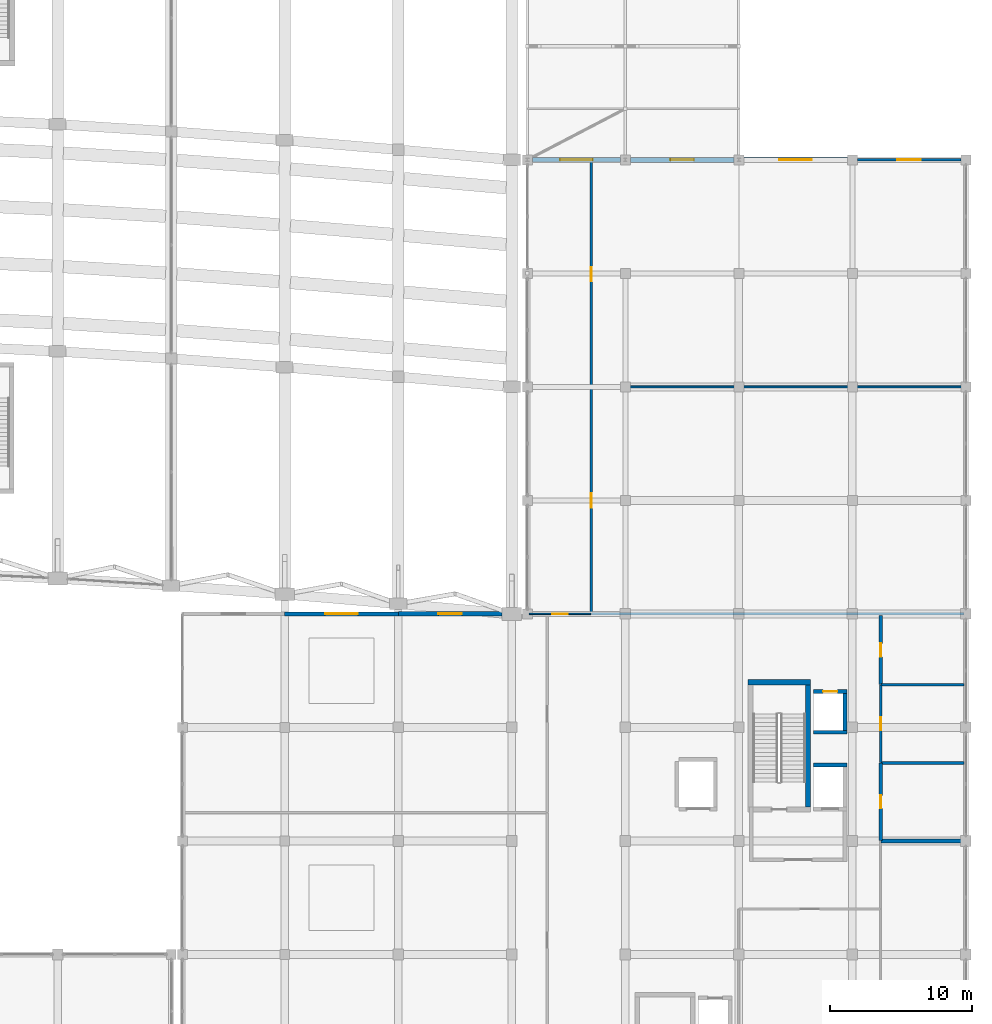
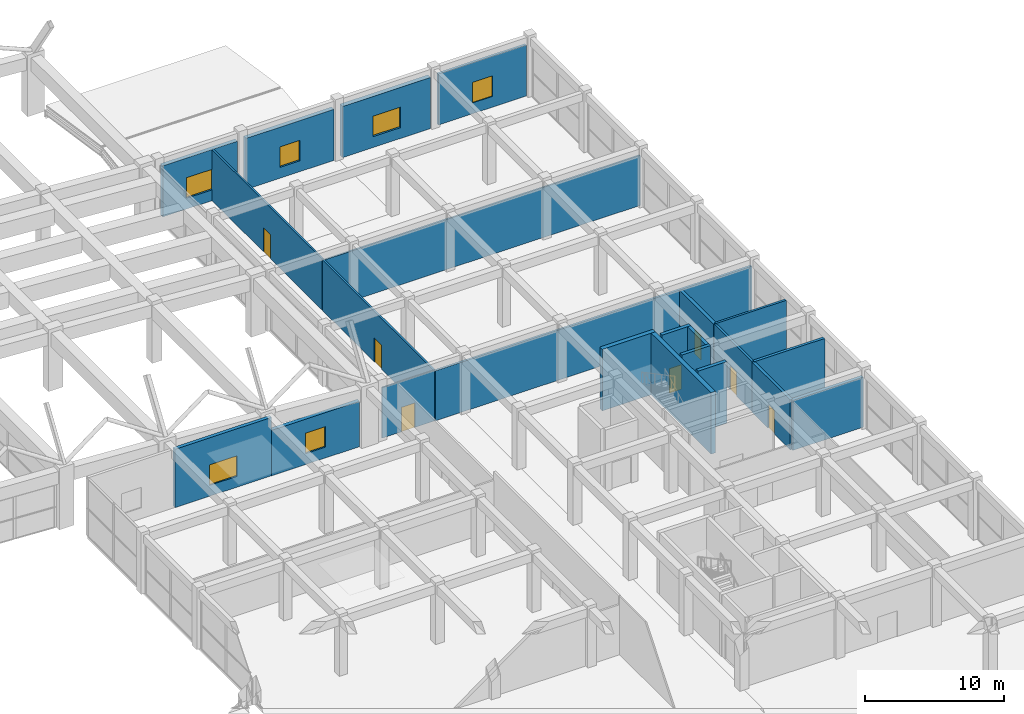
# One storey, part 52 of 69: 23 walls, 7 doors, 6 windows, 13 openings.
"""IFC4 building model written with IfcOpenShell, lengths in metres."""

from ifc_helpers import new_model, si_unit, direction, frame, frame_2d, origin, place, context, subcontext, project, spatial, rectangle, extrude, material, layer, layer_set, type_object, element, fill, save


model = new_model("IFC4")

# Units and contexts
model_context = context("Model", 3, precision=1e-05, world=origin(), true_north=direction((0.0, 1.0)))
body_context = subcontext(model_context, "Body", "Model", "MODEL_VIEW")
ifc_project = project(units=[si_unit("LENGTHUNIT", "METRE"), si_unit("AREAUNIT", "SQUARE_METRE"), si_unit("VOLUMEUNIT", "CUBIC_METRE"), si_unit("PLANEANGLEUNIT", "RADIAN"), si_unit("MASSUNIT", "GRAM", prefix="KILO")], contexts=[model_context])

# Site, building, storey
site_placement = place(None, origin())
site = spatial("IfcSite", under=ifc_project, at=site_placement, CompositionType="ELEMENT")
building_placement = place(site_placement, origin())
building = spatial("IfcBuilding", under=site, at=building_placement, Name="Kenh Van Central Station", CompositionType="ELEMENT")
storey_placement = place(building_placement, frame((0.0, 0.0, 5.39990234375)))
storey = spatial("IfcBuildingStorey", under=building, at=storey_placement, Name="L01", CompositionType="ELEMENT", Elevation=5.39990234375)

# Walls
ifc_material_1 = material(Name="Concrete C40/50", Category="concrete")
ifc_layer_1 = layer(ifc_material_1, 0.280029296875, Name="Concrete C40/50")
ifc_layer_set_1 = layer_set([ifc_layer_1], Name="Concrete C40/50")
wall_type_1 = type_object("IfcWallType", Name="WL-CORE-280", PredefinedType="SHEAR", material=ifc_layer_set_1)
for number, where, z_axis, x_axis, name in (
    (1, (165.25, 53.340087890625, 0.0), (0.0, 0.0, 1.0), (1.0, 0.0, 0.0), "L01 LIFT-FF2 shaft wall N"),
    (2, (165.25, 55.659912109375, 0.0), (0.0, 0.0, 1.0), (1.0, 0.0, 0.0), "L01 LIFT-OP2 shaft wall S"),
):
    element("IfcWall", number, at=place(storey_placement, frame(where, z_axis=z_axis, x_axis=x_axis)), inside=storey, type_object=wall_type_1, Name=name, PredefinedType="SHEAR", context=body_context, shape_type="SweptSolid", body=[
        extrude(rectangle(XDim=2.3798828125, YDim=0.280029296875, at=frame_2d((1.18994140625, 0.0))), origin(), (0.0, 0.0, 1.0), 5.400146484375),
    ])

# Wall, opening, door
wall_1_placement = place(storey_placement, frame((165.25, 58.5400390625, 0.0), z_axis=(0.0, 0.0, 1.0), x_axis=(1.0, 0.0, 0.0)))
wall_1 = element("IfcWall", 3, at=wall_1_placement, inside=storey, type_object=wall_type_1, Name="L01 LIFT-OP2 shaft wall N", PredefinedType="SHEAR", context=body_context, shape_type="SweptSolid", body=[
    extrude(rectangle(XDim=2.3798828125, YDim=0.280029296875, at=frame_2d((1.18994140625, 0.0))), origin(), (0.0, 0.0, 1.0), 5.400146484375),
])
opening_1_placement = place(wall_1_placement, frame((0.68994140625, 0.0, 0.0)))
opening_1 = element("IfcOpeningElement", 4, at=opening_1_placement, cuts=wall_1, Name="Opening LD-OP1", PredefinedType="OPENING", context=body_context, shape_type="SweptSolid", body=[
    extrude(rectangle(XDim=1.0, YDim=2.14990234375, at=frame_2d((0.5, 1.074951171875))), frame((0.0, 0.14990234375, 0.0), z_axis=(0.0, -1.0, 0.0), x_axis=(1.0, 0.0, 0.0)), (0.0, 0.0, 1.0), 0.300048828125),
])
ifc_material_2 = material(Name="Champagne anodised aluminium", Category="aluminium")
door_type_1 = type_object("IfcDoorType", Name="DR-LIFT-1000x2150", OperationType="SLIDING_TO_LEFT", PredefinedType="DOOR", material=ifc_material_2)
door_1_placement = place(opening_1_placement, origin())
door_1 = element("IfcDoor", 5, at=door_1_placement, inside=storey, type_object=door_type_1, Name="L01 LIFT-OP2 sliding landing door", OperationType="SLIDING_TO_LEFT", OverallHeight=2.14990234375, OverallWidth=1.0, PredefinedType="DOOR", context=body_context, shape_type="SweptSolid", body=[
    extrude(rectangle(XDim=1.0, YDim=2.14990234375, at=frame_2d((0.5, 1.074951171875))), frame((0.0, 0.02490234375, 0.0), z_axis=(0.0, -1.0, 0.0), x_axis=(1.0, 0.0, 0.0)), (0.0, 0.0, 1.0), 0.050048828125),
])
fill(opening_1, door_1)

# Walls
wall_2_placement = place(storey_placement, frame((167.489990234375, 55.800048828125, 0.0), z_axis=(0.0, 0.0, 1.0), x_axis=(0.0, 1.0, 0.0)))
element("IfcWall", 6, at=wall_2_placement, inside=storey, type_object=wall_type_1, Name="L01 LIFT-OP2 shaft wall E", PredefinedType="SHEAR", context=body_context, shape_type="SweptSolid", body=[
    extrude(rectangle(XDim=2.599853515625, YDim=0.280029296875, at=frame_2d((1.2998046875, 0.0))), origin(), (0.0, 0.0, 1.0), 5.400146484375),
])
ifc_layer_2 = layer(ifc_material_1, 0.360107421875, Name="Concrete C40/50")
ifc_layer_set_2 = layer_set([ifc_layer_2], Name="Concrete C40/50")
wall_type_2 = type_object("IfcWallType", Name="WL-CORE-360", PredefinedType="SHEAR", material=ifc_layer_set_2)
wall_3_placement = place(storey_placement, frame((160.639892578125, 59.179931640625, 0.0), z_axis=(0.0, 0.0, 1.0), x_axis=(1.0, 0.0, 0.0)))
element("IfcWall", 7, at=wall_3_placement, inside=storey, type_object=wall_type_2, Name="L01 CORE-10 stair wall N", PredefinedType="SHEAR", context=body_context, shape_type="SweptSolid", body=[
    extrude(rectangle(XDim=4.420166015625, YDim=0.360107421875, at=frame_2d((2.2099609375, 0.0))), origin(), (0.0, 0.0, 1.0), 5.400146484375),
])
wall_4_placement = place(storey_placement, frame((164.8798828125, 50.39990234375, 0.0), z_axis=(0.0, 0.0, 1.0), x_axis=(0.0, 1.0, 0.0)))
element("IfcWall", 8, at=wall_4_placement, inside=storey, type_object=wall_type_2, Name="L01 CORE-10 stair wall E", PredefinedType="SHEAR", context=body_context, shape_type="SweptSolid", body=[
    extrude(rectangle(XDim=8.60009765625, YDim=0.360107421875, at=frame_2d((4.300048828125, 0.0))), origin(), (0.0, 0.0, 1.0), 5.400146484375),
])

# Wall, opening, window
ifc_material_3 = material(Name="Saigon buff sandstone and terracotta masonry", Category="masonry")
ifc_layer_3 = layer(ifc_material_3, 0.2900390625, Name="Saigon buff sandstone and terracotta masonry")
ifc_layer_set_3 = layer_set([ifc_layer_3], Name="Saigon buff sandstone and terracotta masonry")
wall_type_3 = type_object("IfcWallType", Name="WL-EXT-290", PredefinedType="STANDARD", material=ifc_layer_set_3)
wall_5_placement = place(storey_placement, frame((136.0, 64.0, 0.0), z_axis=(0.0, 0.0, 1.0), x_axis=(-1.0, 0.0, 0.0)))
wall_5 = element("IfcWall", 9, at=wall_5_placement, inside=storey, type_object=wall_type_3, Name="L01 exterior wall 068", PredefinedType="STANDARD", context=body_context, shape_type="SweptSolid", body=[
    extrude(rectangle(XDim=8.0, YDim=0.2900390625, at=frame_2d((4.0, 0.0))), origin(), (0.0, 0.0, 1.0), 5.1201171875),
])
opening_2_placement = place(wall_5_placement, frame((2.85009765625, 0.0, 0.949951171875)))
opening_2 = element("IfcOpeningElement", 10, at=opening_2_placement, cuts=wall_5, Name="Opening WN-14", PredefinedType="OPENING", context=body_context, shape_type="SweptSolid", body=[
    extrude(rectangle(XDim=2.300048828125, YDim=1.800048828125, at=frame_2d((1.14990234375, 0.89990234375))), frame((0.0, 0.155029296875, 0.0), z_axis=(0.0, -1.0, 0.0), x_axis=(1.0, 0.0, 0.0)), (0.0, 0.0, 1.0), 0.31005859375),
])
ifc_material_4 = material(Name="Double-glazed low-E laminated solar glass", Category="glass")
window_type_1 = type_object("IfcWindowType", Name="WN-OP01-2300x1800", PartitioningType="DOUBLE_PANEL_VERTICAL", PredefinedType="WINDOW", material=ifc_material_4)
window_1_placement = place(opening_2_placement, origin())
window_1 = element("IfcWindow", 11, at=window_1_placement, inside=storey, type_object=window_type_1, Name="L01 window 040", OverallHeight=1.800048828125, OverallWidth=2.300048828125, PartitioningType="SINGLE_PANEL", PredefinedType="WINDOW", context=body_context, shape_type="SweptSolid", body=[
    extrude(rectangle(XDim=2.300048828125, YDim=1.800048828125, at=frame_2d((1.14990234375, 0.89990234375))), frame((0.0, 0.030029296875, 0.0), z_axis=(0.0, -1.0, 0.0), x_axis=(1.0, 0.0, 0.0)), (0.0, 0.0, 1.0), 0.06005859375),
])
fill(opening_2, window_1)

ifc_layer_4 = layer(ifc_material_3, 0.31005859375, Name="Saigon buff sandstone and terracotta masonry")
ifc_layer_set_4 = layer_set([ifc_layer_4], Name="Saigon buff sandstone and terracotta masonry")
wall_type_4 = type_object("IfcWallType", Name="WL-EXT-310", PredefinedType="STANDARD", material=ifc_layer_set_4)
wall_6_placement = place(storey_placement, frame((143.300048828125, 64.0, 0.0), z_axis=(0.0, 0.0, 1.0), x_axis=(-1.0, 0.0, 0.0)))
wall_6 = element("IfcWall", 12, at=wall_6_placement, inside=storey, type_object=wall_type_4, Name="L01 exterior wall 067", PredefinedType="STANDARD", context=body_context, shape_type="SweptSolid", body=[
    extrude(rectangle(XDim=7.300048828125, YDim=0.31005859375, at=frame_2d((3.64990234375, 0.0))), origin(), (0.0, 0.0, 1.0), 3.97998046875),
])
opening_3_placement = place(wall_6_placement, frame((2.824951171875, 0.0, 0.949951171875)))
opening_3 = element("IfcOpeningElement", 13, at=opening_3_placement, cuts=wall_6, Name="Opening WN-15", PredefinedType="OPENING", context=body_context, shape_type="SweptSolid", body=[
    extrude(rectangle(XDim=1.64990234375, YDim=1.800048828125, at=frame_2d((0.824951171875, 0.89990234375))), frame((0.0, 0.1650390625, 0.0), z_axis=(0.0, -1.0, 0.0), x_axis=(1.0, 0.0, 0.0)), (0.0, 0.0, 1.0), 0.330078125),
])
window_type_2 = type_object("IfcWindowType", Name="WN-OP01-1650x1800", PartitioningType="SINGLE_PANEL", PredefinedType="WINDOW", material=ifc_material_4)
window_2_placement = place(opening_3_placement, origin())
window_2 = element("IfcWindow", 14, at=window_2_placement, inside=storey, type_object=window_type_2, Name="L01 window 039", OverallHeight=1.800048828125, OverallWidth=1.64990234375, PartitioningType="SINGLE_PANEL", PredefinedType="WINDOW", context=body_context, shape_type="SweptSolid", body=[
    extrude(rectangle(XDim=1.64990234375, YDim=1.800048828125, at=frame_2d((0.824951171875, 0.89990234375))), frame((0.0, 0.030029296875, 0.0), z_axis=(0.0, -1.0, 0.0), x_axis=(1.0, 0.0, 0.0)), (0.0, 0.0, 1.0), 0.06005859375),
])
fill(opening_3, window_2)

ifc_layer_5 = layer(ifc_material_3, 0.330078125, Name="Saigon buff sandstone and terracotta masonry")
ifc_layer_set_5 = layer_set([ifc_layer_5], Name="Saigon buff sandstone and terracotta masonry")
wall_type_5 = type_object("IfcWallType", Name="WL-EXT-330", PredefinedType="STANDARD", material=ifc_layer_set_5)
wall_7_placement = place(storey_placement, frame((151.64990234375, 96.0, 0.0), z_axis=(0.0, 0.0, 1.0), x_axis=(-1.0, 0.0, 0.0)))
wall_7 = element("IfcWall", 15, at=wall_7_placement, inside=storey, type_object=wall_type_5, Name="L01 exterior wall 066", PredefinedType="STANDARD", context=body_context, shape_type="SweptSolid", body=[
    extrude(rectangle(XDim=6.199951171875, YDim=0.330078125, at=frame_2d((3.10009765625, 0.0))), origin(), (0.0, 0.0, 1.0), 4.47998046875),
])
opening_4_placement = place(wall_7_placement, frame((1.949951171875, 0.0, 0.949951171875)))
opening_4 = element("IfcOpeningElement", 16, at=opening_4_placement, cuts=wall_7, Name="Opening WN-14", PredefinedType="OPENING", context=body_context, shape_type="SweptSolid", body=[
    extrude(rectangle(XDim=2.300048828125, YDim=1.800048828125, at=frame_2d((1.14990234375, 0.89990234375))), frame((0.0, 0.175048828125, 0.0), z_axis=(0.0, -1.0, 0.0), x_axis=(1.0, 0.0, 0.0)), (0.0, 0.0, 1.0), 0.35009765625),
])
window_3_placement = place(opening_4_placement, origin())
window_3 = element("IfcWindow", 17, at=window_3_placement, inside=storey, type_object=window_type_1, Name="L01 window 038", OverallHeight=1.800048828125, OverallWidth=2.300048828125, PartitioningType="SINGLE_PANEL", PredefinedType="WINDOW", context=body_context, shape_type="SweptSolid", body=[
    extrude(rectangle(XDim=2.300048828125, YDim=1.800048828125, at=frame_2d((1.14990234375, 0.89990234375))), frame((0.0, 0.030029296875, 0.0), z_axis=(0.0, -1.0, 0.0), x_axis=(1.0, 0.0, 0.0)), (0.0, 0.0, 1.0), 0.06005859375),
])
fill(opening_4, window_3)

ifc_layer_6 = layer(ifc_material_3, 0.35009765625, Name="Saigon buff sandstone and terracotta masonry")
ifc_layer_set_6 = layer_set([ifc_layer_6], Name="Saigon buff sandstone and terracotta masonry")
wall_type_6 = type_object("IfcWallType", Name="WL-EXT-350", PredefinedType="STANDARD", material=ifc_layer_set_6)
wall_8_placement = place(storey_placement, frame((159.64990234375, 96.0, 0.0), z_axis=(0.0, 0.0, 1.0), x_axis=(-1.0, 0.0, 0.0)))
wall_8 = element("IfcWall", 18, at=wall_8_placement, inside=storey, type_object=wall_type_6, Name="L01 exterior wall 065", PredefinedType="STANDARD", context=body_context, shape_type="SweptSolid", body=[
    extrude(rectangle(XDim=7.2998046875, YDim=0.35009765625, at=frame_2d((3.64990234375, 0.0))), origin(), (0.0, 0.0, 1.0), 4.47998046875),
])
opening_5_placement = place(wall_8_placement, frame((2.824951171875, 0.0, 0.949951171875)))
opening_5 = element("IfcOpeningElement", 19, at=opening_5_placement, cuts=wall_8, Name="Opening WN-15", PredefinedType="OPENING", context=body_context, shape_type="SweptSolid", body=[
    extrude(rectangle(XDim=1.64990234375, YDim=1.800048828125, at=frame_2d((0.824951171875, 0.89990234375))), frame((0.0, 0.18505859375, 0.0), z_axis=(0.0, -1.0, 0.0), x_axis=(1.0, 0.0, 0.0)), (0.0, 0.0, 1.0), 0.3701171875),
])
window_4_placement = place(opening_5_placement, origin())
window_4 = element("IfcWindow", 20, at=window_4_placement, inside=storey, type_object=window_type_2, Name="L01 window 037", OverallHeight=1.800048828125, OverallWidth=1.64990234375, PartitioningType="SINGLE_PANEL", PredefinedType="WINDOW", context=body_context, shape_type="SweptSolid", body=[
    extrude(rectangle(XDim=1.64990234375, YDim=1.800048828125, at=frame_2d((0.824951171875, 0.89990234375))), frame((0.0, 0.030029296875, 0.0), z_axis=(0.0, -1.0, 0.0), x_axis=(1.0, 0.0, 0.0)), (0.0, 0.0, 1.0), 0.06005859375),
])
fill(opening_5, window_4)

ifc_layer_7 = layer(ifc_material_3, 0.3798828125, Name="Saigon buff sandstone and terracotta masonry")
ifc_layer_set_7 = layer_set([ifc_layer_7], Name="Saigon buff sandstone and terracotta masonry")
wall_type_7 = type_object("IfcWallType", Name="WL-EXT-380", PredefinedType="STANDARD", material=ifc_layer_set_7)
wall_9_placement = place(storey_placement, frame((167.64990234375, 96.0, 0.0), z_axis=(0.0, 0.0, 1.0), x_axis=(-1.0, 0.0, 0.0)))
wall_9 = element("IfcWall", 21, at=wall_9_placement, inside=storey, type_object=wall_type_7, Name="L01 exterior wall 064", PredefinedType="STANDARD", context=body_context, shape_type="SweptSolid", body=[
    extrude(rectangle(XDim=7.2998046875, YDim=0.3798828125, at=frame_2d((3.64990234375, 0.0))), origin(), (0.0, 0.0, 1.0), 4.47998046875),
])
opening_6_placement = place(wall_9_placement, frame((2.5, 0.0, 0.949951171875)))
opening_6 = element("IfcOpeningElement", 22, at=opening_6_placement, cuts=wall_9, Name="Opening WN-14", PredefinedType="OPENING", context=body_context, shape_type="SweptSolid", body=[
    extrude(rectangle(XDim=2.300048828125, YDim=1.800048828125, at=frame_2d((1.14990234375, 0.89990234375))), frame((0.0, 0.199951171875, 0.0), z_axis=(0.0, -1.0, 0.0), x_axis=(1.0, 0.0, 0.0)), (0.0, 0.0, 1.0), 0.39990234375),
])
window_5_placement = place(opening_6_placement, origin())
window_5 = element("IfcWindow", 23, at=window_5_placement, inside=storey, type_object=window_type_1, Name="L01 window 036", OverallHeight=1.800048828125, OverallWidth=2.300048828125, PartitioningType="SINGLE_PANEL", PredefinedType="WINDOW", context=body_context, shape_type="SweptSolid", body=[
    extrude(rectangle(XDim=2.300048828125, YDim=1.800048828125, at=frame_2d((1.14990234375, 0.89990234375))), frame((0.0, 0.030029296875, 0.0), z_axis=(0.0, -1.0, 0.0), x_axis=(1.0, 0.0, 0.0)), (0.0, 0.0, 1.0), 0.06005859375),
])
fill(opening_6, window_5)

# Wall, opening, door
ifc_material_5 = material(Name="Lightweight acoustic masonry blockwork", Category="masonry")
ifc_layer_8 = layer(ifc_material_5, 0.10009765625, Name="Lightweight acoustic masonry blockwork")
ifc_layer_set_8 = layer_set([ifc_layer_8], Name="Lightweight acoustic masonry blockwork")
wall_type_8 = type_object("IfcWallType", Name="WL-PART-100", PredefinedType="PARTITIONING", material=ifc_layer_set_8)
wall_10_placement = place(storey_placement, frame((145.219970703125, 64.0, 0.0), z_axis=(0.0, 0.0, 1.0), x_axis=(1.0, 0.0, 0.0)))
wall_10 = element("IfcWall", 24, at=wall_10_placement, inside=storey, type_object=wall_type_8, Name="L01 interior wall 0132", PredefinedType="PARTITIONING", context=body_context, shape_type="SweptSolid", body=[
    extrude(rectangle(XDim=4.360107421875, YDim=0.10009765625, at=frame_2d((2.18017578125, 0.0))), origin(), (0.0, 0.0, 1.0), 4.440185546875),
])
opening_7_placement = place(wall_10_placement, frame((1.639892578125, 0.0, 0.0)))
opening_7 = element("IfcOpeningElement", 25, at=opening_7_placement, cuts=wall_10, Name="Opening D-IN05", PredefinedType="OPENING", context=body_context, shape_type="SweptSolid", body=[
    extrude(rectangle(XDim=1.080078125, YDim=2.14990234375, at=frame_2d((0.5400390625, 1.074951171875))), frame((0.0, 0.06005859375, 0.0), z_axis=(0.0, -1.0, 0.0), x_axis=(1.0, 0.0, 0.0)), (0.0, 0.0, 1.0), 0.1201171875),
])
ifc_material_6 = material(Name="Architectural hardwood timber", Category="wood")
door_type_2 = type_object("IfcDoorType", Name="DR-INT-1080x2150", OperationType="NOTDEFINED", PredefinedType="DOOR", material=ifc_material_6)
door_2_placement = place(opening_7_placement, origin())
door_2 = element("IfcDoor", 26, at=door_2_placement, inside=storey, type_object=door_type_2, Name="L01 interior door 0073", OperationType="SINGLE_SWING_RIGHT", OverallHeight=2.14990234375, OverallWidth=1.080078125, PredefinedType="DOOR", context=body_context, shape_type="SweptSolid", body=[
    extrude(rectangle(XDim=1.080078125, YDim=2.14990234375, at=frame_2d((0.5400390625, 1.074951171875))), frame((0.0, 0.02490234375, 0.0), z_axis=(0.0, -1.0, 0.0), x_axis=(1.0, 0.0, 0.0)), (0.0, 0.0, 1.0), 0.050048828125),
])
fill(opening_7, door_2)

# Wall
ifc_layer_9 = layer(ifc_material_5, 0.135009765625, Name="Lightweight acoustic masonry blockwork")
ifc_layer_set_9 = layer_set([ifc_layer_9], Name="Lightweight acoustic masonry blockwork")
wall_type_9 = type_object("IfcWallType", Name="WL-PART-135", PredefinedType="PARTITIONING", material=ifc_layer_set_9)
wall_11_placement = place(storey_placement, frame((149.6201171875, 80.0, 0.0), z_axis=(0.0, 0.0, 1.0), x_axis=(1.0, 0.0, 0.0)))
element("IfcWall", 27, at=wall_11_placement, inside=storey, type_object=wall_type_9, Name="L01 interior wall 0136", PredefinedType="PARTITIONING", context=body_context, shape_type="SweptSolid", body=[
    extrude(rectangle(XDim=26.259765625, YDim=0.135009765625, at=frame_2d((13.1298828125, 0.0))), origin(), (0.0, 0.0, 1.0), 4.39013671875),
])

# Wall, opening, door
ifc_layer_10 = layer(ifc_material_5, 0.14990234375, Name="Lightweight acoustic masonry blockwork")
ifc_layer_set_10 = layer_set([ifc_layer_10], Name="Lightweight acoustic masonry blockwork")
wall_type_10 = type_object("IfcWallType", Name="WL-PART-150", PredefinedType="PARTITIONING", material=ifc_layer_set_10)
wall_12_placement = place(storey_placement, frame((149.60009765625, 80.02001953125, 0.0), z_axis=(0.0, 0.0, 1.0), x_axis=(0.0, 1.0, 0.0)))
wall_12 = element("IfcWall", 28, at=wall_12_placement, inside=storey, type_object=wall_type_10, Name="L01 interior wall 0135", PredefinedType="PARTITIONING", context=body_context, shape_type="SweptSolid", body=[
    extrude(rectangle(XDim=15.85986328125, YDim=0.14990234375, at=frame_2d((7.929931640625, 0.0))), origin(), (0.0, 0.0, 1.0), 4.47998046875),
])
opening_8_placement = place(wall_12_placement, frame((7.43994140625, 0.0, 0.0)))
opening_8 = element("IfcOpeningElement", 29, at=opening_8_placement, cuts=wall_12, Name="Opening D-IN07", PredefinedType="OPENING", context=body_context, shape_type="SweptSolid", body=[
    extrude(rectangle(XDim=0.97998046875, YDim=2.1201171875, at=frame_2d((0.489990234375, 1.06005859375))), frame((0.0, 0.0849609375, 0.0), z_axis=(0.0, -1.0, 0.0), x_axis=(1.0, 0.0, 0.0)), (0.0, 0.0, 1.0), 0.169921875),
])
door_type_3 = type_object("IfcDoorType", Name="DR-INT-980x2120", OperationType="NOTDEFINED", PredefinedType="DOOR", material=ifc_material_6)
door_3_placement = place(opening_8_placement, origin())
door_3 = element("IfcDoor", 30, at=door_3_placement, inside=storey, type_object=door_type_3, Name="L01 interior door 0075", OperationType="SINGLE_SWING_RIGHT", OverallHeight=2.1201171875, OverallWidth=0.97998046875, PredefinedType="DOOR", context=body_context, shape_type="SweptSolid", body=[
    extrude(rectangle(XDim=0.97998046875, YDim=2.1201171875, at=frame_2d((0.489990234375, 1.06005859375))), frame((0.0, 0.02490234375, 0.0), z_axis=(0.0, -1.0, 0.0), x_axis=(1.0, 0.0, 0.0)), (0.0, 0.0, 1.0), 0.050048828125),
])
fill(opening_8, door_3)

ifc_layer_11 = layer(ifc_material_5, 0.159912109375, Name="Lightweight acoustic masonry blockwork")
ifc_layer_set_11 = layer_set([ifc_layer_11], Name="Lightweight acoustic masonry blockwork")
wall_type_11 = type_object("IfcWallType", Name="WL-PART-160", PredefinedType="PARTITIONING", material=ifc_layer_set_11)
wall_13_placement = place(storey_placement, frame((149.60009765625, 64.02001953125, 0.0), z_axis=(0.0, 0.0, 1.0), x_axis=(0.0, 1.0, 0.0)))
wall_13 = element("IfcWall", 31, at=wall_13_placement, inside=storey, type_object=wall_type_11, Name="L01 interior wall 0134", PredefinedType="PARTITIONING", context=body_context, shape_type="SweptSolid", body=[
    extrude(rectangle(XDim=15.9599609375, YDim=0.159912109375, at=frame_2d((7.97998046875, 0.0))), origin(), (0.0, 0.0, 1.0), 4.440185546875),
])
opening_9_placement = place(wall_13_placement, frame((7.469970703125, 0.0, 0.0)))
opening_9 = element("IfcOpeningElement", 32, at=opening_9_placement, cuts=wall_13, Name="Opening D-IN06", PredefinedType="OPENING", context=body_context, shape_type="SweptSolid", body=[
    extrude(rectangle(XDim=1.02001953125, YDim=2.1201171875, at=frame_2d((0.510009765625, 1.06005859375))), frame((0.0, 0.08984375, 0.0), z_axis=(0.0, -1.0, 0.0), x_axis=(1.0, 0.0, 0.0)), (0.0, 0.0, 1.0), 0.179931640625),
])
door_type_4 = type_object("IfcDoorType", Name="DR-INT-1020x2120", OperationType="NOTDEFINED", PredefinedType="DOOR", material=ifc_material_6)
door_4_placement = place(opening_9_placement, origin())
door_4 = element("IfcDoor", 33, at=door_4_placement, inside=storey, type_object=door_type_4, Name="L01 interior door 0074", OperationType="SINGLE_SWING_LEFT", OverallHeight=2.1201171875, OverallWidth=1.02001953125, PredefinedType="DOOR", context=body_context, shape_type="SweptSolid", body=[
    extrude(rectangle(XDim=1.02001953125, YDim=2.1201171875, at=frame_2d((0.510009765625, 1.06005859375))), frame((0.0, 0.02490234375, 0.0), z_axis=(0.0, -1.0, 0.0), x_axis=(1.0, 0.0, 0.0)), (0.0, 0.0, 1.0), 0.050048828125),
])
fill(opening_9, door_4)

# Wall
ifc_layer_12 = layer(ifc_material_5, 0.175048828125, Name="Lightweight acoustic masonry blockwork")
ifc_layer_set_12 = layer_set([ifc_layer_12], Name="Lightweight acoustic masonry blockwork")
wall_type_12 = type_object("IfcWallType", Name="WL-PART-175", PredefinedType="PARTITIONING", material=ifc_layer_set_12)
wall_14_placement = place(storey_placement, frame((149.6201171875, 64.0, 0.0), z_axis=(0.0, 0.0, 1.0), x_axis=(1.0, 0.0, 0.0)))
element("IfcWall", 34, at=wall_14_placement, inside=storey, type_object=wall_type_12, Name="L01 interior wall 0133", PredefinedType="PARTITIONING", context=body_context, shape_type="SweptSolid", body=[
    extrude(rectangle(XDim=26.259765625, YDim=0.175048828125, at=frame_2d((13.1298828125, 0.0))), origin(), (0.0, 0.0, 1.0), 4.39013671875),
])

# Wall, opening, door
ifc_layer_13 = layer(ifc_material_5, 0.18505859375, Name="Lightweight acoustic masonry blockwork")
ifc_layer_set_13 = layer_set([ifc_layer_13], Name="Lightweight acoustic masonry blockwork")
wall_type_13 = type_object("IfcWallType", Name="WL-PLMB-185", PredefinedType="PLUMBINGWALL", material=ifc_layer_set_13)
wall_15_placement = place(storey_placement, frame((170.0, 53.52001953125, 0.0), z_axis=(0.0, 0.0, 1.0), x_axis=(0.0, 1.0, 0.0)))
wall_15 = element("IfcWall", 35, at=wall_15_placement, inside=storey, type_object=wall_type_13, Name="L01 interior wall 0128", PredefinedType="PLUMBINGWALL", context=body_context, shape_type="SweptSolid", body=[
    extrude(rectangle(XDim=5.4599609375, YDim=0.18505859375, at=frame_2d((2.72998046875, 0.0))), origin(), (0.0, 0.0, 1.0), 4.39013671875),
])
opening_10_placement = place(wall_15_placement, frame((2.27001953125, 0.0, 0.0)))
opening_10 = element("IfcOpeningElement", 36, at=opening_10_placement, cuts=wall_15, Name="Opening D-IN09", PredefinedType="OPENING", context=body_context, shape_type="SweptSolid", body=[
    extrude(rectangle(XDim=0.919921875, YDim=2.10009765625, at=frame_2d((0.4599609375, 1.050048828125))), frame((0.0, 0.1025390625, 0.0), z_axis=(0.0, -1.0, 0.0), x_axis=(1.0, 0.0, 0.0)), (0.0, 0.0, 1.0), 0.205078125),
])
door_type_5 = type_object("IfcDoorType", Name="DR-INT-920x2100", OperationType="NOTDEFINED", PredefinedType="DOOR", material=ifc_material_6)
door_5_placement = place(opening_10_placement, origin())
door_5 = element("IfcDoor", 37, at=door_5_placement, inside=storey, type_object=door_type_5, Name="L01 interior door 0071", OperationType="SINGLE_SWING_RIGHT", OverallHeight=2.10009765625, OverallWidth=0.919921875, PredefinedType="DOOR", context=body_context, shape_type="SweptSolid", body=[
    extrude(rectangle(XDim=0.919921875, YDim=2.10009765625, at=frame_2d((0.4599609375, 1.050048828125))), frame((0.0, 0.02490234375, 0.0), z_axis=(0.0, -1.0, 0.0), x_axis=(1.0, 0.0, 0.0)), (0.0, 0.0, 1.0), 0.050048828125),
])
fill(opening_10, door_5)

# Wall
wall_16_placement = place(storey_placement, frame((170.02001953125, 59.0, 0.0), z_axis=(0.0, 0.0, 1.0), x_axis=(1.0, 0.0, 0.0)))
element("IfcWall", 38, at=wall_16_placement, inside=storey, type_object=wall_type_13, Name="L01 interior wall 0131", PredefinedType="PLUMBINGWALL", context=body_context, shape_type="SweptSolid", body=[
    extrude(rectangle(XDim=5.85986328125, YDim=0.18505859375, at=frame_2d((2.929931640625, 0.0))), origin(), (0.0, 0.0, 1.0), 4.440185546875),
])

# Wall, opening, door
ifc_layer_14 = layer(ifc_material_5, 0.22998046875, Name="Lightweight acoustic masonry blockwork")
ifc_layer_set_14 = layer_set([ifc_layer_14], Name="Lightweight acoustic masonry blockwork")
wall_type_14 = type_object("IfcWallType", Name="WL-PLMB-230", PredefinedType="PLUMBINGWALL", material=ifc_layer_set_14)
wall_17_placement = place(storey_placement, frame((170.0, 48.02001953125, 0.0), z_axis=(0.0, 0.0, 1.0), x_axis=(0.0, 1.0, 0.0)))
wall_17 = element("IfcWall", 39, at=wall_17_placement, inside=storey, type_object=wall_type_14, Name="L01 interior wall 0127", PredefinedType="PLUMBINGWALL", context=body_context, shape_type="SweptSolid", body=[
    extrude(rectangle(XDim=5.4599609375, YDim=0.22998046875, at=frame_2d((2.72998046875, 0.0))), origin(), (0.0, 0.0, 1.0), 4.39013671875),
])
opening_11_placement = place(wall_17_placement, frame((2.27001953125, 0.0, 0.0)))
opening_11 = element("IfcOpeningElement", 40, at=opening_11_placement, cuts=wall_17, Name="Opening D-IN09", PredefinedType="OPENING", context=body_context, shape_type="SweptSolid", body=[
    extrude(rectangle(XDim=0.919921875, YDim=2.10009765625, at=frame_2d((0.4599609375, 1.050048828125))), frame((0.0, 0.125, 0.0), z_axis=(0.0, -1.0, 0.0), x_axis=(1.0, 0.0, 0.0)), (0.0, 0.0, 1.0), 0.25),
])
door_6_placement = place(opening_11_placement, origin())
door_6 = element("IfcDoor", 41, at=door_6_placement, inside=storey, type_object=door_type_5, Name="L01 interior door 0070", OperationType="SINGLE_SWING_LEFT", OverallHeight=2.10009765625, OverallWidth=0.919921875, PredefinedType="DOOR", context=body_context, shape_type="SweptSolid", body=[
    extrude(rectangle(XDim=0.919921875, YDim=2.10009765625, at=frame_2d((0.4599609375, 1.050048828125))), frame((0.0, 0.02490234375, 0.0), z_axis=(0.0, -1.0, 0.0), x_axis=(1.0, 0.0, 0.0)), (0.0, 0.0, 1.0), 0.050048828125),
])
fill(opening_11, door_6)

# Walls
wall_18_placement = place(storey_placement, frame((170.02001953125, 53.5, 0.0), z_axis=(0.0, 0.0, 1.0), x_axis=(1.0, 0.0, 0.0)))
element("IfcWall", 42, at=wall_18_placement, inside=storey, type_object=wall_type_14, Name="L01 interior wall 0130", PredefinedType="PLUMBINGWALL", context=body_context, shape_type="SweptSolid", body=[
    extrude(rectangle(XDim=5.85986328125, YDim=0.22998046875, at=frame_2d((2.929931640625, 0.0))), origin(), (0.0, 0.0, 1.0), 4.440185546875),
])
ifc_layer_15 = layer(ifc_material_5, 0.27001953125, Name="Lightweight acoustic masonry blockwork")
ifc_layer_set_15 = layer_set([ifc_layer_15], Name="Lightweight acoustic masonry blockwork")
wall_type_15 = type_object("IfcWallType", Name="WL-PLMB-270", PredefinedType="PLUMBINGWALL", material=ifc_layer_set_15)
wall_19_placement = place(storey_placement, frame((170.02001953125, 48.0, 0.0), z_axis=(0.0, 0.0, 1.0), x_axis=(1.0, 0.0, 0.0)))
element("IfcWall", 43, at=wall_19_placement, inside=storey, type_object=wall_type_15, Name="L01 interior wall 0126", PredefinedType="PLUMBINGWALL", context=body_context, shape_type="SweptSolid", body=[
    extrude(rectangle(XDim=5.85986328125, YDim=0.27001953125, at=frame_2d((2.929931640625, 0.0))), origin(), (0.0, 0.0, 1.0), 4.39013671875),
])

# Wall, opening, door
wall_20_placement = place(storey_placement, frame((170.0, 59.02001953125, 0.0), z_axis=(0.0, 0.0, 1.0), x_axis=(0.0, 1.0, 0.0)))
wall_20 = element("IfcWall", 44, at=wall_20_placement, inside=storey, type_object=wall_type_15, Name="L01 interior wall 0129", PredefinedType="PLUMBINGWALL", context=body_context, shape_type="SweptSolid", body=[
    extrude(rectangle(XDim=4.85986328125, YDim=0.27001953125, at=frame_2d((2.429931640625, 0.0))), origin(), (0.0, 0.0, 1.0), 4.39013671875),
])
opening_12_placement = place(wall_20_placement, frame((1.949951171875, 0.0, 0.0)))
opening_12 = element("IfcOpeningElement", 45, at=opening_12_placement, cuts=wall_20, Name="Opening D-IN08", PredefinedType="OPENING", context=body_context, shape_type="SweptSolid", body=[
    extrude(rectangle(XDim=0.9599609375, YDim=2.10009765625, at=frame_2d((0.47998046875, 1.050048828125))), frame((0.0, 0.14501953125, 0.0), z_axis=(0.0, -1.0, 0.0), x_axis=(1.0, 0.0, 0.0)), (0.0, 0.0, 1.0), 0.2900390625),
])
door_type_6 = type_object("IfcDoorType", Name="DR-INT-960x2100", OperationType="NOTDEFINED", PredefinedType="DOOR", material=ifc_material_6)
door_7_placement = place(opening_12_placement, origin())
door_7 = element("IfcDoor", 46, at=door_7_placement, inside=storey, type_object=door_type_6, Name="L01 interior door 0072", OperationType="SINGLE_SWING_LEFT", OverallHeight=2.10009765625, OverallWidth=0.9599609375, PredefinedType="DOOR", context=body_context, shape_type="SweptSolid", body=[
    extrude(rectangle(XDim=0.9599609375, YDim=2.10009765625, at=frame_2d((0.47998046875, 1.050048828125))), frame((0.0, 0.02490234375, 0.0), z_axis=(0.0, -1.0, 0.0), x_axis=(1.0, 0.0, 0.0)), (0.0, 0.0, 1.0), 0.050048828125),
])
fill(opening_12, door_7)

# Wall, opening, window
ifc_material_7 = material(Name="Glazed terracotta architectural masonry", Category="masonry")
ifc_layer_16 = layer(ifc_material_7, 0.195068359375, Name="Glazed terracotta architectural masonry")
ifc_layer_set_16 = layer_set([ifc_layer_16], Name="Glazed terracotta architectural masonry")
wall_type_16 = type_object("IfcWallType", Name="WL-SLD-195", PredefinedType="SOLIDWALL", material=ifc_layer_set_16)
wall_21_placement = place(storey_placement, frame((175.64990234375, 96.0, 0.0), z_axis=(0.0, 0.0, 1.0), x_axis=(-1.0, 0.0, 0.0)))
wall_21 = element("IfcWall", 47, at=wall_21_placement, inside=storey, type_object=wall_type_16, Name="L01 exterior wall 063", PredefinedType="SOLIDWALL", context=body_context, shape_type="SweptSolid", body=[
    extrude(rectangle(XDim=7.2998046875, YDim=0.195068359375, at=frame_2d((3.64990234375, 0.0))), origin(), (0.0, 0.0, 1.0), 4.47998046875),
])
opening_13_placement = place(wall_21_placement, frame((2.824951171875, 0.0, 0.949951171875)))
opening_13 = element("IfcOpeningElement", 48, at=opening_13_placement, cuts=wall_21, Name="Opening WN-15", PredefinedType="OPENING", context=body_context, shape_type="SweptSolid", body=[
    extrude(rectangle(XDim=1.64990234375, YDim=1.800048828125, at=frame_2d((0.824951171875, 0.89990234375))), frame((0.0, 0.107421875, 0.0), z_axis=(0.0, -1.0, 0.0), x_axis=(1.0, 0.0, 0.0)), (0.0, 0.0, 1.0), 0.215087890625),
])
window_6_placement = place(opening_13_placement, origin())
window_6 = element("IfcWindow", 49, at=window_6_placement, inside=storey, type_object=window_type_2, Name="L01 window 035", OverallHeight=1.800048828125, OverallWidth=1.64990234375, PartitioningType="SINGLE_PANEL", PredefinedType="WINDOW", context=body_context, shape_type="SweptSolid", body=[
    extrude(rectangle(XDim=1.64990234375, YDim=1.800048828125, at=frame_2d((0.824951171875, 0.89990234375))), frame((0.0, 0.030029296875, 0.0), z_axis=(0.0, -1.0, 0.0), x_axis=(1.0, 0.0, 0.0)), (0.0, 0.0, 1.0), 0.06005859375),
])
fill(opening_13, window_6)

save(model, "model.ifc")
